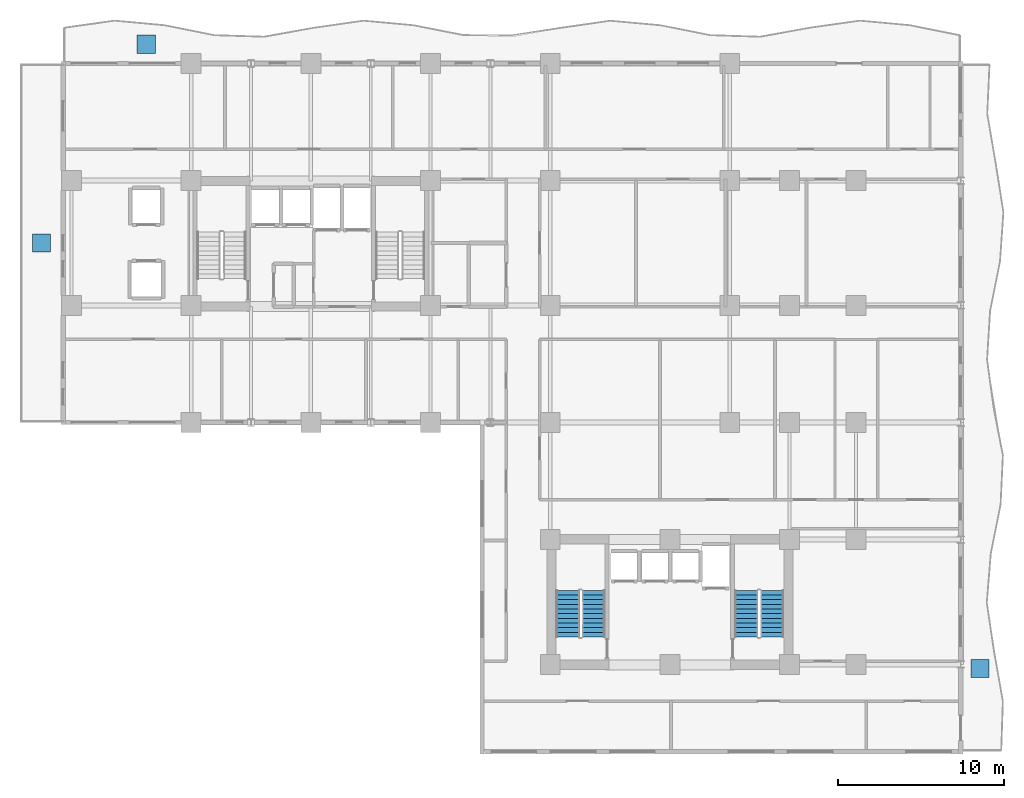
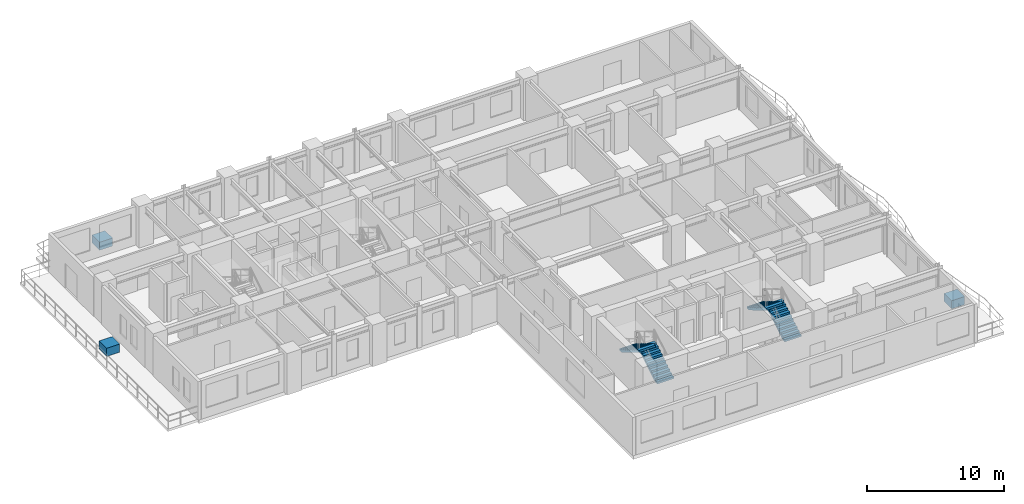
# One storey, part 8 of 11: 4 stair flights, 3 discrete accessories, 2 elements without a shape of their own.
"""IFC4 building model written with IfcOpenShell, lengths in metres."""

import ifcopenshell
import ifcopenshell.guid

model = None  # the IFC model being written
_history = None  # IfcOwnerHistory: only IFC2X3 demands one
_inside = {}  # id of a spatial element -> (the spatial element, [elements in it])
_under = {}  # id of a project, library or spatial element -> (it, [spatial elements below it])
_declared = {}  # id of a project -> (the project, [libraries it declares])
_typed = {}  # id of a type object -> (the type object, [elements of that type])
_made_of = {}  # id of a material, layer set ... -> (it, [elements and type objects made of it])


def new_model(schema):
    """Start an empty IFC model of exactly this schema.

    Asked for "IFC4X3", IfcOpenShell would pick the latest addendum, in which some entities
    have other attributes; the version numbers below select the first issue.
    IFC2X3 requires an IfcOwnerHistory on every rooted entity: one is made here for all.
    """
    global model, _history
    if schema == "IFC4X3":
        model = ifcopenshell.file(schema_version=(4, 3, 0, 0))
    else:
        model = ifcopenshell.file(schema=schema)
    _inside.clear()
    _under.clear()
    _declared.clear()
    _typed.clear()
    _made_of.clear()
    _history = None
    if model.schema == "IFC2X3":
        org = make("IfcOrganization", Name="unknown")
        user = make(
            "IfcPersonAndOrganization",
            ThePerson=make("IfcPerson", FamilyName="unknown"),
            TheOrganization=org,
        )
        app = make(
            "IfcApplication",
            ApplicationDeveloper=org,
            Version="unknown",
            ApplicationFullName="unknown",
            ApplicationIdentifier="unknown",
        )
        _history = make(
            "IfcOwnerHistory",
            OwningUser=user,
            OwningApplication=app,
            ChangeAction="ADDED",
            CreationDate=0,
        )
    return model


def make(cls, **values):
    """One entity of the class cls with the attributes given. An attribute that is None is left unset."""
    return model.create_entity(
        cls, **{name: value for name, value in values.items() if value is not None}
    )


def rooted(cls, **values):
    """An entity with a GlobalId (a new one), such as an element, a storey or a relation."""
    return make(cls, GlobalId=ifcopenshell.guid.new(), OwnerHistory=_history, **values)


def si_unit(unit_type, name, prefix=None):
    """IfcSIUnit, for example si_unit("LENGTHUNIT", "METRE", prefix="MILLI")."""
    return make("IfcSIUnit", UnitType=unit_type, Prefix=prefix, Name=name)


def assignment(units):
    """IfcUnitAssignment: the units of a project."""
    return None if units is None else make("IfcUnitAssignment", Units=units)


def point(xyz):
    """IfcCartesianPoint."""
    return None if xyz is None else make("IfcCartesianPoint", Coordinates=xyz)


def direction(xyz):
    """IfcDirection."""
    return None if xyz is None else make("IfcDirection", DirectionRatios=xyz)


def frame(location, z_axis=None, x_axis=None):
    """IfcAxis2Placement3D, a coordinate frame: its origin and axes. An axis left out is left unset."""
    return make(
        "IfcAxis2Placement3D",
        Location=point(location),
        Axis=direction(z_axis),
        RefDirection=direction(x_axis),
    )


def frame_2d(location, x_axis=None):
    """IfcAxis2Placement2D, a coordinate frame in the plane: its origin and x axis."""
    return make(
        "IfcAxis2Placement2D", Location=point(location), RefDirection=direction(x_axis)
    )


def origin():
    """The frame at (0, 0, 0) with its axes left unset."""
    return frame((0.0, 0.0, 0.0))


def origin_2d():
    """The frame at (0, 0) in the plane with its x axis left unset."""
    return frame_2d((0.0, 0.0))


def place(relative_to, where):
    """IfcLocalPlacement: puts the frame where relative to a parent placement (None: the world)."""
    return make(
        "IfcLocalPlacement", PlacementRelTo=relative_to, RelativePlacement=where
    )


def context(
    kind, dimensions, precision=None, world=None, true_north=None, identifier=None
):
    """IfcGeometricRepresentationContext, for example the 3D "Model" context."""
    return make(
        "IfcGeometricRepresentationContext",
        ContextIdentifier=identifier,
        ContextType=kind,
        CoordinateSpaceDimension=dimensions,
        Precision=precision,
        WorldCoordinateSystem=world,
        TrueNorth=true_north,
    )


def subcontext(parent, identifier, kind, view, scale=None):
    """IfcGeometricRepresentationSubContext, for example "Body" below "Model"."""
    return make(
        "IfcGeometricRepresentationSubContext",
        ContextIdentifier=identifier,
        ContextType=kind,
        ParentContext=parent,
        TargetScale=scale,
        TargetView=view,
    )


def project(units=None, contexts=None):
    """IfcProject with its units and contexts."""
    return rooted(
        "IfcProject",
        Name="project",
        RepresentationContexts=contexts,
        UnitsInContext=assignment(units),
    )


def spatial(cls, under=None, at=None, **own):
    """A site, building, storey or space (cls), placed at a placement, below another one or the project."""
    s = rooted(cls, ObjectPlacement=at, **own)
    if under is not None:
        _under.setdefault(under.id(), (under, []))[1].append(s)
    return s


def polyline(points):
    """IfcPolyline through the points."""
    return make("IfcPolyline", Points=[point(p) for p in points])


def profile(cls, at=None, kind="AREA", **sizes):
    """A parametric profile (cls). Its sizes go by their IFC names, for example OverallWidth=200.0."""
    return make(cls, ProfileType=kind, Position=at, **sizes)


def rectangle(**sizes):
    """IfcRectangleProfileDef."""
    return profile("IfcRectangleProfileDef", **sizes)


def outline(outer, holes=None, kind="AREA"):
    """IfcArbitraryClosedProfileDef: a profile drawn as a closed curve; with holes, ...WithVoids."""
    if holes is None:
        return make("IfcArbitraryClosedProfileDef", ProfileType=kind, OuterCurve=outer)
    return make(
        "IfcArbitraryProfileDefWithVoids",
        ProfileType=kind,
        OuterCurve=outer,
        InnerCurves=holes,
    )


def extrude(swept, where, along, depth):
    """IfcExtrudedAreaSolid: the profile swept, set in the frame where, extruded along a direction by depth."""
    return make(
        "IfcExtrudedAreaSolid",
        SweptArea=swept,
        Position=where,
        ExtrudedDirection=direction(along),
        Depth=depth,
    )


def shape(context_of_items, identifier, shape_type, items):
    """IfcShapeRepresentation: the items that make up one representation, for example the "Body"."""
    return make(
        "IfcShapeRepresentation",
        ContextOfItems=context_of_items,
        RepresentationIdentifier=identifier,
        RepresentationType=shape_type,
        Items=items,
    )


def source(mapping_origin, context_of_items, identifier, shape_type, items):
    """IfcRepresentationMap: a shape defined once, which mapped items show again and again."""
    return make(
        "IfcRepresentationMap",
        MappingOrigin=mapping_origin,
        MappedRepresentation=shape(context_of_items, identifier, shape_type, items),
    )


def transform(
    local_origin,
    x_axis=None,
    y_axis=None,
    z_axis=None,
    scale=None,
    scale2=None,
    scale3=None,
    uniform=True,
):
    """IfcCartesianTransformationOperator3D, or its non-uniform kind. x_axis, y_axis, z_axis: its Axis1, 2, 3."""
    if uniform:
        return make(
            "IfcCartesianTransformationOperator3D",
            Axis1=direction(x_axis),
            Axis2=direction(y_axis),
            LocalOrigin=point(local_origin),
            Scale=scale,
            Axis3=direction(z_axis),
        )
    return make(
        "IfcCartesianTransformationOperator3DnonUniform",
        Axis1=direction(x_axis),
        Axis2=direction(y_axis),
        LocalOrigin=point(local_origin),
        Scale=scale,
        Axis3=direction(z_axis),
        Scale2=scale2,
        Scale3=scale3,
    )


def mapped(mapping_source, mapping_target):
    """IfcMappedItem: shows the shape of a source again, moved by a transform."""
    return make(
        "IfcMappedItem", MappingSource=mapping_source, MappingTarget=mapping_target
    )


def material(Name=None, Category=None):
    """IfcMaterial."""
    return make("IfcMaterial", Name=Name, Category=Category)


def made_of(thing, what):
    """Note that an element or type object is made of a material, layer set ...; save() writes the relation."""
    if what is not None:
        _made_of.setdefault(what.id(), (what, []))[1].append(thing)
    return thing


def type_object(cls, material=None, **own):
    """A type object (cls), such as IfcWallType, which elements share."""
    return made_of(rooted(cls, **own), material)


def element(
    cls,
    number,
    at=None,
    inside=None,
    cuts=None,
    type_object=None,
    material=None,
    context=None,
    identifier="Body",
    shape_type=None,
    held_by="IfcProductDefinitionShape",
    body=None,
    shapes=None,
    **own,
):
    """One element of the class cls, such as IfcWall. Its Tag is "e" and its number.

    at: its placement. inside: the storey or other place that contains it. cuts: it is an
    opening in that element (IfcRelVoidsElement). A single representation is given by context,
    identifier, shape_type and body (its items); several are given by shapes. held_by: the class
    of the entity that holds the representations. save() writes the other relations.
    """
    e = rooted(cls, Tag="e%d" % number, ObjectPlacement=at, **own)
    if body is not None:
        shapes = [shape(context, identifier, shape_type, body)]
    if shapes is not None:
        e.Representation = make(held_by, Representations=shapes)
    if inside is not None:
        _inside.setdefault(inside.id(), (inside, []))[1].append(e)
    if cuts is not None:
        rooted(
            "IfcRelVoidsElement", RelatingBuildingElement=cuts, RelatedOpeningElement=e
        )
    if type_object is not None:
        _typed.setdefault(type_object.id(), (type_object, []))[1].append(e)
    return made_of(e, material)


def aggregate(whole, parts):
    """IfcRelAggregates: a whole, such as a stair, and the parts it consists of."""
    return rooted("IfcRelAggregates", RelatingObject=whole, RelatedObjects=parts)


def save(model, path):
    """Write the relations noted so far, then the file.

    IfcRelAggregates (storeys below a building ...), IfcRelContainedInSpatialStructure (elements
    in a storey), IfcRelDefinesByType, IfcRelAssociatesMaterial and IfcRelDeclares: one each for
    every whole, place, type object, material and project.
    """
    for whole, parts in _under.values():
        aggregate(whole, parts)
    for where, things in _inside.values():
        rooted(
            "IfcRelContainedInSpatialStructure",
            RelatedElements=things,
            RelatingStructure=where,
        )
    for kind, things in _typed.values():
        rooted("IfcRelDefinesByType", RelatedObjects=things, RelatingType=kind)
    for what, things in _made_of.values():
        rooted("IfcRelAssociatesMaterial", RelatedObjects=things, RelatingMaterial=what)
    for by, libraries in _declared.values():
        rooted("IfcRelDeclares", RelatingContext=by, RelatedDefinitions=libraries)
    model.write(path)


model = new_model("IFC4")

# Units and contexts
model_context = context("Model", 3, precision=1e-05, world=origin(), true_north=direction((0.0, 1.0)))
body_context = subcontext(model_context, "Body", "Model", "MODEL_VIEW")
ifc_project = project(units=[si_unit("LENGTHUNIT", "METRE"), si_unit("AREAUNIT", "SQUARE_METRE"), si_unit("VOLUMEUNIT", "CUBIC_METRE"), si_unit("PLANEANGLEUNIT", "RADIAN"), si_unit("MASSUNIT", "GRAM", prefix="KILO")], contexts=[model_context])

# Site, building, storey
site_placement = place(None, origin())
site = spatial("IfcSite", under=ifc_project, at=site_placement, CompositionType="ELEMENT")
building_placement = place(site_placement, origin())
building = spatial("IfcBuilding", under=site, at=building_placement, Name="Kaliganga Portal Commons", CompositionType="ELEMENT")
storey_placement = place(building_placement, frame((0.0, 0.0, 78.60009765625)))
storey = spatial("IfcBuildingStorey", under=building, at=storey_placement, Name="L19", CompositionType="ELEMENT", Elevation=78.60009765625)

# Stair, stair flights
ifc_material_1 = material(Name="Concrete C40/50", Category="concrete")
stair_type = type_object("IfcStairType", Name="ST-CORE-DOGLEG", PredefinedType="HALF_TURN_STAIR", material=ifc_material_1)
stair_1_placement = place(storey_placement, origin())
stair_1 = element("IfcStair", 1, at=stair_1_placement, inside=storey, type_object=stair_type, Name="L19 Protected Exit Stair ST-B1", PredefinedType="HALF_TURN_STAIR")
stair_flight_type = type_object("IfcStairFlightType", Name="STF-RC-1400", PredefinedType="STRAIGHT", material=ifc_material_1)
stair_flight_1_placement = place(storey_placement, frame((38.60009765625, 8.699951171875, 0.0), z_axis=(0.0, 0.0, 1.0), x_axis=(0.0, 1.0, 0.0)))
stair_flight_1 = element("IfcStairFlight", 2, at=stair_flight_1_placement, type_object=stair_flight_type, Name="ST-B1 flight 1", NumberOfRisers=11, NumberOfTreads=10, PredefinedType="STRAIGHT", RiserHeight=0.168181818, TreadLength=0.28, context=body_context, shape_type="SweptSolid", body=[
    extrude(outline(polyline([(0.0, 0.0), (0.0, 0.168212890625), (0.280029296875, 0.168212890625), (0.280029296875, 0.33642578125), (0.56005859375, 0.33642578125), (0.56005859375, 0.504638671875), (0.840087890625, 0.504638671875), (0.840087890625, 0.672607421875), (1.1201171875, 0.672607421875), (1.1201171875, 0.8408203125), (1.39990234375, 0.8408203125), (1.39990234375, 1.009033203125), (1.679931640625, 1.009033203125), (1.679931640625, 1.17724609375), (1.9599609375, 1.17724609375), (1.9599609375, 1.345458984375), (2.239990234375, 1.345458984375), (2.239990234375, 1.513671875), (2.52001953125, 1.513671875), (2.52001953125, 1.681884765625), (2.800048828125, 1.681884765625), (2.800048828125, 1.85009765625), (2.800048828125, 1.5068359375), (0.291015625, 0.0), (0.0, 0.0)])), frame((0.0, 0.699951171875, 0.0), z_axis=(0.0, -1.0, 0.0), x_axis=(1.0, 0.0, 0.0)), (0.0, 0.0, 1.0), 1.39990234375),
])
stair_flight_2_placement = place(storey_placement, frame((37.050048828125, 11.5, 1.849853515625), z_axis=(0.0, 0.0, 1.0), x_axis=(0.0, -1.0, 0.0)))
stair_flight_2 = element("IfcStairFlight", 3, at=stair_flight_2_placement, type_object=stair_flight_type, Name="ST-B1 flight 2", NumberOfRisers=11, NumberOfTreads=10, PredefinedType="STRAIGHT", RiserHeight=0.168181818, TreadLength=0.28, context=body_context, shape_type="SweptSolid", body=[
    extrude(outline(polyline([(0.0, 0.0), (0.0, 0.168212890625), (0.280029296875, 0.168212890625), (0.280029296875, 0.33642578125), (0.56005859375, 0.33642578125), (0.56005859375, 0.504638671875), (0.840087890625, 0.504638671875), (0.840087890625, 0.672607421875), (1.1201171875, 0.672607421875), (1.1201171875, 0.8408203125), (1.39990234375, 0.8408203125), (1.39990234375, 1.009033203125), (1.679931640625, 1.009033203125), (1.679931640625, 1.17724609375), (1.9599609375, 1.17724609375), (1.9599609375, 1.345458984375), (2.239990234375, 1.345458984375), (2.239990234375, 1.513671875), (2.52001953125, 1.513671875), (2.52001953125, 1.681884765625), (2.800048828125, 1.681884765625), (2.800048828125, 1.85009765625), (2.800048828125, 1.5068359375), (0.291015625, 0.0), (0.0, 0.0)])), frame((0.0, 0.699951171875, 0.0), z_axis=(0.0, -1.0, 0.0), x_axis=(1.0, 0.0, 0.0)), (0.0, 0.0, 1.0), 1.39990234375),
])
aggregate(stair_1, [stair_flight_1, stair_flight_2])

stair_2_placement = place(storey_placement, origin())
stair_2 = element("IfcStair", 4, at=stair_2_placement, inside=storey, type_object=stair_type, Name="L19 Protected Exit Stair ST-B2", PredefinedType="HALF_TURN_STAIR")
stair_flight_3_placement = place(storey_placement, frame((49.35009765625, 8.699951171875, 0.0), z_axis=(0.0, 0.0, 1.0), x_axis=(0.0, 1.0, 0.0)))
stair_flight_3 = element("IfcStairFlight", 5, at=stair_flight_3_placement, type_object=stair_flight_type, Name="ST-B2 flight 1", NumberOfRisers=11, NumberOfTreads=10, PredefinedType="STRAIGHT", RiserHeight=0.168181818, TreadLength=0.28, context=body_context, shape_type="SweptSolid", body=[
    extrude(outline(polyline([(0.0, 0.0), (0.0, 0.168212890625), (0.280029296875, 0.168212890625), (0.280029296875, 0.33642578125), (0.56005859375, 0.33642578125), (0.56005859375, 0.504638671875), (0.840087890625, 0.504638671875), (0.840087890625, 0.672607421875), (1.1201171875, 0.672607421875), (1.1201171875, 0.8408203125), (1.39990234375, 0.8408203125), (1.39990234375, 1.009033203125), (1.679931640625, 1.009033203125), (1.679931640625, 1.17724609375), (1.9599609375, 1.17724609375), (1.9599609375, 1.345458984375), (2.239990234375, 1.345458984375), (2.239990234375, 1.513671875), (2.52001953125, 1.513671875), (2.52001953125, 1.681884765625), (2.800048828125, 1.681884765625), (2.800048828125, 1.85009765625), (2.800048828125, 1.5068359375), (0.291015625, 0.0), (0.0, 0.0)])), frame((0.0, 0.699951171875, 0.0), z_axis=(0.0, -1.0, 0.0), x_axis=(1.0, 0.0, 0.0)), (0.0, 0.0, 1.0), 1.39990234375),
])
stair_flight_4_placement = place(storey_placement, frame((47.800048828125, 11.5, 1.849853515625), z_axis=(0.0, 0.0, 1.0), x_axis=(0.0, -1.0, 0.0)))
stair_flight_4 = element("IfcStairFlight", 6, at=stair_flight_4_placement, type_object=stair_flight_type, Name="ST-B2 flight 2", NumberOfRisers=11, NumberOfTreads=10, PredefinedType="STRAIGHT", RiserHeight=0.168181818, TreadLength=0.28, context=body_context, shape_type="SweptSolid", body=[
    extrude(outline(polyline([(0.0, 0.0), (0.0, 0.168212890625), (0.280029296875, 0.168212890625), (0.280029296875, 0.33642578125), (0.56005859375, 0.33642578125), (0.56005859375, 0.504638671875), (0.840087890625, 0.504638671875), (0.840087890625, 0.672607421875), (1.1201171875, 0.672607421875), (1.1201171875, 0.8408203125), (1.39990234375, 0.8408203125), (1.39990234375, 1.009033203125), (1.679931640625, 1.009033203125), (1.679931640625, 1.17724609375), (1.9599609375, 1.17724609375), (1.9599609375, 1.345458984375), (2.239990234375, 1.345458984375), (2.239990234375, 1.513671875), (2.52001953125, 1.513671875), (2.52001953125, 1.681884765625), (2.800048828125, 1.681884765625), (2.800048828125, 1.85009765625), (2.800048828125, 1.5068359375), (0.291015625, 0.0), (0.0, 0.0)])), frame((0.0, 0.699951171875, 0.0), z_axis=(0.0, -1.0, 0.0), x_axis=(1.0, 0.0, 0.0)), (0.0, 0.0, 1.0), 1.39990234375),
])
aggregate(stair_2, [stair_flight_3, stair_flight_4])

# Discrete accessories
ifc_material_2 = material(Name="Precast concrete C40/50", Category="concrete")
discrete_accessory_type = type_object("IfcDiscreteAccessoryType", Name="DAC-PLANTER-RC", PredefinedType="USERDEFINED", material=ifc_material_2)
shared_shape = source(origin(), body_context, "Body", "SweptSolid", [
    extrude(rectangle(XDim=1.10009765625, YDim=1.10009765625, at=origin_2d()), origin(), (0.0, 0.0, 1.0), 0.719970703125),
])
for number, where, z_axis, x_axis, name in (
    (7, (11.699951171875, 44.35009765625, 0.0), (0.0, 0.0, 1.0), (1.0, 0.0, 0.0), "Structural Tree Planter L19 balc_north"),
    (8, (61.85009765625, 6.800048828125, 0.0), (0.0, 0.0, 1.0), (1.0, 0.0, 0.0), "Structural Tree Planter L19 balc_east"),
    (9, (5.39990234375, 32.39990234375, 0.0), (0.0, 0.0, 1.0), (1.0, 0.0, 0.0), "Sky-Garden Tree Planter L19 skygarden_l19"),
):
    element("IfcDiscreteAccessory", number, at=place(storey_placement, frame(where, z_axis=z_axis, x_axis=x_axis)), inside=storey, type_object=discrete_accessory_type, Name=name, ObjectType="PLANTER", PredefinedType="USERDEFINED", context=body_context, shape_type="MappedRepresentation", body=[
        mapped(shared_shape, transform((0.0, 0.0, 0.0), x_axis=(1.0, 0.0, 0.0), y_axis=(0.0, 1.0, 0.0), z_axis=(0.0, 0.0, 1.0), scale=1.0)),
    ])

save(model, "model.ifc")
